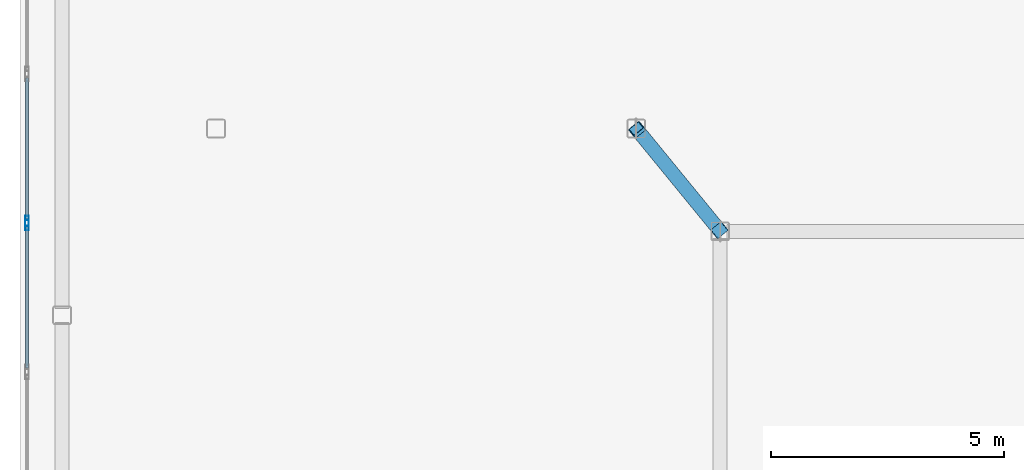
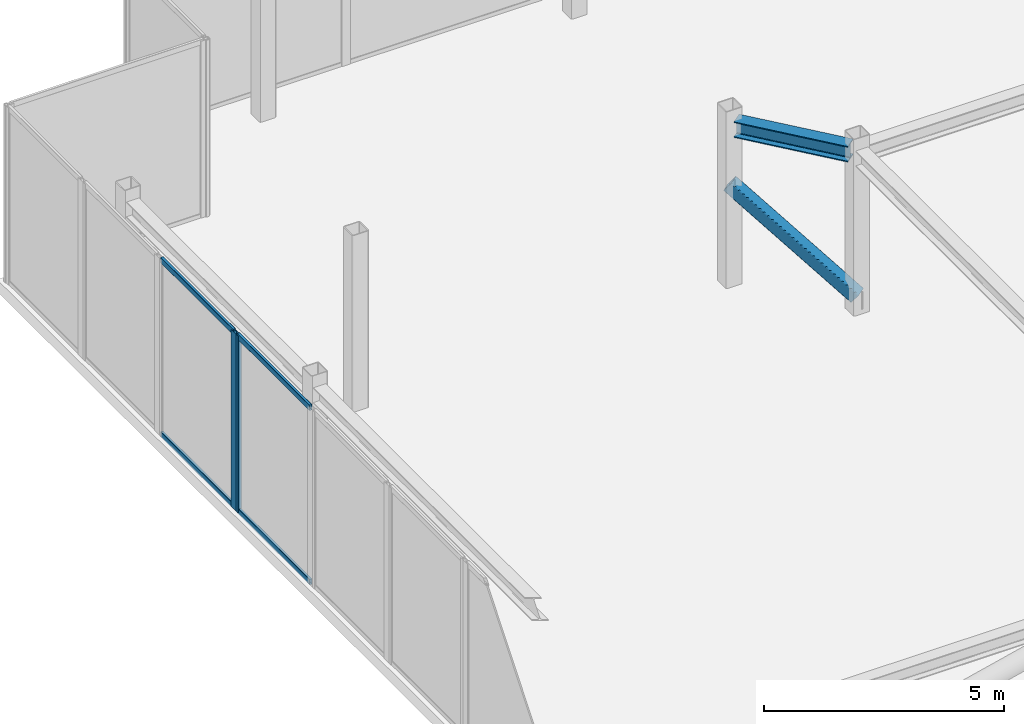
# One storey, part 6 of 14: 7 members, 1 beam, 2 elements without a shape of their own.
"""IFC4 building model written with IfcOpenShell, lengths in metres."""

import ifcopenshell
import ifcopenshell.guid

model = None  # the IFC model being written
_history = None  # IfcOwnerHistory: only IFC2X3 demands one
_inside = {}  # id of a spatial element -> (the spatial element, [elements in it])
_under = {}  # id of a project, library or spatial element -> (it, [spatial elements below it])
_declared = {}  # id of a project -> (the project, [libraries it declares])
_typed = {}  # id of a type object -> (the type object, [elements of that type])
_made_of = {}  # id of a material, layer set ... -> (it, [elements and type objects made of it])


def new_model(schema):
    """Start an empty IFC model of exactly this schema.

    Asked for "IFC4X3", IfcOpenShell would pick the latest addendum, in which some entities
    have other attributes; the version numbers below select the first issue.
    IFC2X3 requires an IfcOwnerHistory on every rooted entity: one is made here for all.
    """
    global model, _history
    if schema == "IFC4X3":
        model = ifcopenshell.file(schema_version=(4, 3, 0, 0))
    else:
        model = ifcopenshell.file(schema=schema)
    _inside.clear()
    _under.clear()
    _declared.clear()
    _typed.clear()
    _made_of.clear()
    _history = None
    if model.schema == "IFC2X3":
        org = make("IfcOrganization", Name="unknown")
        user = make(
            "IfcPersonAndOrganization",
            ThePerson=make("IfcPerson", FamilyName="unknown"),
            TheOrganization=org,
        )
        app = make(
            "IfcApplication",
            ApplicationDeveloper=org,
            Version="unknown",
            ApplicationFullName="unknown",
            ApplicationIdentifier="unknown",
        )
        _history = make(
            "IfcOwnerHistory",
            OwningUser=user,
            OwningApplication=app,
            ChangeAction="ADDED",
            CreationDate=0,
        )
    return model


def make(cls, **values):
    """One entity of the class cls with the attributes given. An attribute that is None is left unset."""
    return model.create_entity(
        cls, **{name: value for name, value in values.items() if value is not None}
    )


def rooted(cls, **values):
    """An entity with a GlobalId (a new one), such as an element, a storey or a relation."""
    return make(cls, GlobalId=ifcopenshell.guid.new(), OwnerHistory=_history, **values)


def si_unit(unit_type, name, prefix=None):
    """IfcSIUnit, for example si_unit("LENGTHUNIT", "METRE", prefix="MILLI")."""
    return make("IfcSIUnit", UnitType=unit_type, Prefix=prefix, Name=name)


def assignment(units):
    """IfcUnitAssignment: the units of a project."""
    return None if units is None else make("IfcUnitAssignment", Units=units)


def point(xyz):
    """IfcCartesianPoint."""
    return None if xyz is None else make("IfcCartesianPoint", Coordinates=xyz)


def direction(xyz):
    """IfcDirection."""
    return None if xyz is None else make("IfcDirection", DirectionRatios=xyz)


def frame(location, z_axis=None, x_axis=None):
    """IfcAxis2Placement3D, a coordinate frame: its origin and axes. An axis left out is left unset."""
    return make(
        "IfcAxis2Placement3D",
        Location=point(location),
        Axis=direction(z_axis),
        RefDirection=direction(x_axis),
    )


def frame_2d(location, x_axis=None):
    """IfcAxis2Placement2D, a coordinate frame in the plane: its origin and x axis."""
    return make(
        "IfcAxis2Placement2D", Location=point(location), RefDirection=direction(x_axis)
    )


def origin():
    """The frame at (0, 0, 0) with its axes left unset."""
    return frame((0.0, 0.0, 0.0))


def origin_2d():
    """The frame at (0, 0) in the plane with its x axis left unset."""
    return frame_2d((0.0, 0.0))


def place(relative_to, where):
    """IfcLocalPlacement: puts the frame where relative to a parent placement (None: the world)."""
    return make(
        "IfcLocalPlacement", PlacementRelTo=relative_to, RelativePlacement=where
    )


def context(
    kind, dimensions, precision=None, world=None, true_north=None, identifier=None
):
    """IfcGeometricRepresentationContext, for example the 3D "Model" context."""
    return make(
        "IfcGeometricRepresentationContext",
        ContextIdentifier=identifier,
        ContextType=kind,
        CoordinateSpaceDimension=dimensions,
        Precision=precision,
        WorldCoordinateSystem=world,
        TrueNorth=true_north,
    )


def subcontext(parent, identifier, kind, view, scale=None):
    """IfcGeometricRepresentationSubContext, for example "Body" below "Model"."""
    return make(
        "IfcGeometricRepresentationSubContext",
        ContextIdentifier=identifier,
        ContextType=kind,
        ParentContext=parent,
        TargetScale=scale,
        TargetView=view,
    )


def project(units=None, contexts=None):
    """IfcProject with its units and contexts."""
    return rooted(
        "IfcProject",
        Name="project",
        RepresentationContexts=contexts,
        UnitsInContext=assignment(units),
    )


def spatial(cls, under=None, at=None, **own):
    """A site, building, storey or space (cls), placed at a placement, below another one or the project."""
    s = rooted(cls, ObjectPlacement=at, **own)
    if under is not None:
        _under.setdefault(under.id(), (under, []))[1].append(s)
    return s


def profile(cls, at=None, kind="AREA", **sizes):
    """A parametric profile (cls). Its sizes go by their IFC names, for example OverallWidth=200.0."""
    return make(cls, ProfileType=kind, Position=at, **sizes)


def hollow_rectangle(**sizes):
    """IfcRectangleHollowProfileDef."""
    return profile("IfcRectangleHollowProfileDef", **sizes)


def i_section(**sizes):
    """IfcIShapeProfileDef."""
    return profile("IfcIShapeProfileDef", **sizes)


def extrude(swept, where, along, depth):
    """IfcExtrudedAreaSolid: the profile swept, set in the frame where, extruded along a direction by depth."""
    return make(
        "IfcExtrudedAreaSolid",
        SweptArea=swept,
        Position=where,
        ExtrudedDirection=direction(along),
        Depth=depth,
    )


def shape(context_of_items, identifier, shape_type, items):
    """IfcShapeRepresentation: the items that make up one representation, for example the "Body"."""
    return make(
        "IfcShapeRepresentation",
        ContextOfItems=context_of_items,
        RepresentationIdentifier=identifier,
        RepresentationType=shape_type,
        Items=items,
    )


def material(Name=None, Category=None):
    """IfcMaterial."""
    return make("IfcMaterial", Name=Name, Category=Category)


def layer(
    of_material, thickness, ventilated=None, Name=None, Category=None, Priority=None
):
    """IfcMaterialLayer: one layer of a wall or slab, of a material (None: an air gap)."""
    return make(
        "IfcMaterialLayer",
        Material=of_material,
        LayerThickness=thickness,
        IsVentilated=ventilated,
        Name=Name,
        Category=Category,
        Priority=Priority,
    )


def layer_set(layers, Name=None):
    """IfcMaterialLayerSet."""
    return make("IfcMaterialLayerSet", MaterialLayers=layers, LayerSetName=Name)


def material_profile(
    of_material, cross_section, Name=None, Category=None, Priority=None
):
    """IfcMaterialProfile: a cross section and its material."""
    return make(
        "IfcMaterialProfile",
        Name=Name,
        Material=of_material,
        Profile=cross_section,
        Priority=Priority,
        Category=Category,
    )


def profile_set(profiles, Name=None, composite=None):
    """IfcMaterialProfileSet."""
    return make(
        "IfcMaterialProfileSet",
        Name=Name,
        MaterialProfiles=profiles,
        CompositeProfile=composite,
    )


def made_of(thing, what):
    """Note that an element or type object is made of a material, layer set ...; save() writes the relation."""
    if what is not None:
        _made_of.setdefault(what.id(), (what, []))[1].append(thing)
    return thing


def type_object(cls, material=None, **own):
    """A type object (cls), such as IfcWallType, which elements share."""
    return made_of(rooted(cls, **own), material)


def element(
    cls,
    number,
    at=None,
    inside=None,
    cuts=None,
    type_object=None,
    material=None,
    context=None,
    identifier="Body",
    shape_type=None,
    held_by="IfcProductDefinitionShape",
    body=None,
    shapes=None,
    **own,
):
    """One element of the class cls, such as IfcWall. Its Tag is "e" and its number.

    at: its placement. inside: the storey or other place that contains it. cuts: it is an
    opening in that element (IfcRelVoidsElement). A single representation is given by context,
    identifier, shape_type and body (its items); several are given by shapes. held_by: the class
    of the entity that holds the representations. save() writes the other relations.
    """
    e = rooted(cls, Tag="e%d" % number, ObjectPlacement=at, **own)
    if body is not None:
        shapes = [shape(context, identifier, shape_type, body)]
    if shapes is not None:
        e.Representation = make(held_by, Representations=shapes)
    if inside is not None:
        _inside.setdefault(inside.id(), (inside, []))[1].append(e)
    if cuts is not None:
        rooted(
            "IfcRelVoidsElement", RelatingBuildingElement=cuts, RelatedOpeningElement=e
        )
    if type_object is not None:
        _typed.setdefault(type_object.id(), (type_object, []))[1].append(e)
    return made_of(e, material)


def aggregate(whole, parts):
    """IfcRelAggregates: a whole, such as a stair, and the parts it consists of."""
    return rooted("IfcRelAggregates", RelatingObject=whole, RelatedObjects=parts)


def save(model, path):
    """Write the relations noted so far, then the file.

    IfcRelAggregates (storeys below a building ...), IfcRelContainedInSpatialStructure (elements
    in a storey), IfcRelDefinesByType, IfcRelAssociatesMaterial and IfcRelDeclares: one each for
    every whole, place, type object, material and project.
    """
    for whole, parts in _under.values():
        aggregate(whole, parts)
    for where, things in _inside.values():
        rooted(
            "IfcRelContainedInSpatialStructure",
            RelatedElements=things,
            RelatingStructure=where,
        )
    for kind, things in _typed.values():
        rooted("IfcRelDefinesByType", RelatedObjects=things, RelatingType=kind)
    for what, things in _made_of.values():
        rooted("IfcRelAssociatesMaterial", RelatedObjects=things, RelatingMaterial=what)
    for by, libraries in _declared.values():
        rooted("IfcRelDeclares", RelatingContext=by, RelatedDefinitions=libraries)
    model.write(path)


model = new_model("IFC4")

# Units and contexts
model_context = context("Model", 3, precision=1e-05, world=origin(), true_north=direction((0.0, 1.0)))
body_context = subcontext(model_context, "Body", "Model", "MODEL_VIEW")
ifc_project = project(units=[si_unit("LENGTHUNIT", "METRE"), si_unit("AREAUNIT", "SQUARE_METRE"), si_unit("VOLUMEUNIT", "CUBIC_METRE"), si_unit("PLANEANGLEUNIT", "RADIAN"), si_unit("MASSUNIT", "GRAM", prefix="KILO")], contexts=[model_context])

# Site, building, storey
site_placement = place(None, origin())
site = spatial("IfcSite", under=ifc_project, at=site_placement, CompositionType="ELEMENT")
building_placement = place(site_placement, origin())
building = spatial("IfcBuilding", under=site, at=building_placement, Name="Tarnavaz Court Tower", CompositionType="ELEMENT")
storey_placement = place(building_placement, frame((0.0, 0.0, 286.050048828125)))
storey = spatial("IfcBuildingStorey", under=building, at=storey_placement, Name="C02", CompositionType="ELEMENT", Elevation=286.050048828125)

# Beam
ifc_material_1 = material(Name="Steel S355", Category="steel")
ifc_material_profile_1 = material_profile(ifc_material_1, i_section(OverallWidth=0.300048828125, OverallDepth=0.39990234375, WebThickness=0.013427734375, FlangeThickness=0.02392578125, FilletRadius=0.027099609375, at=origin_2d()), Name="HEB 400")
ifc_profile_set_1 = profile_set([ifc_material_profile_1], Name="Steel S355")
beam_type = type_object("IfcBeamType", Name="BM-G-HEB400", PredefinedType="USERDEFINED", material=ifc_profile_set_1)
beam_placement = place(storey_placement, frame((-9.5048828125, 9.8837890625, 4.0), z_axis=(0.633206414362, -0.773982969329, 0.0), x_axis=(0.773982969329, 0.633206414362, 0.0)))
element("IfcBeam", 1, at=beam_placement, inside=storey, type_object=beam_type, Name="C02 Beam CRG-CW-NI-IW-NW", ObjectType="GIRDER", PredefinedType="USERDEFINED", context=body_context, shape_type="SweptSolid", body=[
    extrude(i_section(OverallWidth=0.300048828125, OverallDepth=0.39990234375, WebThickness=0.013427734375, FlangeThickness=0.02392578125, FilletRadius=0.027099609375, at=origin_2d()), origin(), (0.0, 0.0, 1.0), 2.54248046875),
])

# Curtain wall, member
ifc_material_2 = material(Name="Anodised Aluminium 6063-T6 and Solar Low-E Glazing", Category="aluminium")
ifc_layer = layer(ifc_material_2, 0.2099609375)
ifc_layer_set = layer_set([ifc_layer], Name="Anodised Aluminium 6063-T6 and Solar Low-E Glazing")
curtain_wall_type = type_object("IfcCurtainWallType", Name="CW-SYS-06", PredefinedType="NOTDEFINED", material=ifc_layer_set)
curtain_wall_1_placement = place(storey_placement, origin())
curtain_wall_1 = element("IfcCurtainWall", 2, at=curtain_wall_1_placement, inside=storey, type_object=curtain_wall_type, Name="C02 Slanted Crown Terracotta Curtain Wall 11", PredefinedType="NOTDEFINED")
ifc_material_3 = material(Name="Anodised Aluminium 6063-T6", Category="aluminium")
ifc_material_profile_2 = material_profile(ifc_material_3, hollow_rectangle(XDim=0.0849609375, YDim=0.219970703125, WallThickness=0.006103515625, InnerFilletRadius=0.006103515625, OuterFilletRadius=0.011962890625, at=origin_2d()), Name="ALU RHS 220X85X6")
ifc_profile_set_2 = profile_set([ifc_material_profile_2], Name="Anodised Aluminium 6063-T6")
member_type_1 = type_object("IfcMemberType", Name="CW-MUL-220", PredefinedType="MULLION", material=ifc_profile_set_2)
member_1_placement = place(storey_placement, frame((-22.64990234375, 7.934814453125, 0.0), z_axis=(0.0, 0.0, 1.0), x_axis=(-1.0, 0.0, 0.0)))
member_1 = element("IfcMember", 3, at=member_1_placement, type_object=member_type_1, Name="CW mullion 2", PredefinedType="MULLION", context=body_context, shape_type="SweptSolid", body=[
    extrude(hollow_rectangle(XDim=0.0849609375, YDim=0.219970703125, WallThickness=0.006103515625, InnerFilletRadius=0.006103515625, OuterFilletRadius=0.011962890625, at=origin_2d()), origin(), (0.0, 0.0, 1.0), 4.5),
])

curtain_wall_2_placement = place(storey_placement, origin())
curtain_wall_2 = element("IfcCurtainWall", 4, at=curtain_wall_2_placement, inside=storey, type_object=curtain_wall_type, Name="C02 Slanted Crown Terracotta Curtain Wall 12", PredefinedType="NOTDEFINED")
member_2_placement = place(storey_placement, frame((-22.64990234375, 8.019775390625, 0.0), z_axis=(0.0, 0.0, 1.0), x_axis=(-1.0, 0.0, 0.0)))
member_2 = element("IfcMember", 5, at=member_2_placement, type_object=member_type_1, Name="CW mullion 1", PredefinedType="MULLION", context=body_context, shape_type="SweptSolid", body=[
    extrude(hollow_rectangle(XDim=0.0849609375, YDim=0.219970703125, WallThickness=0.006103515625, InnerFilletRadius=0.006103515625, OuterFilletRadius=0.011962890625, at=origin_2d()), origin(), (0.0, 0.0, 1.0), 4.5),
])

# Member
ifc_material_profile_3 = material_profile(ifc_material_3, hollow_rectangle(XDim=0.06494140625, YDim=0.139892578125, WallThickness=0.00390625, InnerFilletRadius=0.00390625, OuterFilletRadius=0.008056640625, at=origin_2d()), Name="ALU RHS 140X65X4")
ifc_profile_set_3 = profile_set([ifc_material_profile_3], Name="Anodised Aluminium 6063-T6")
member_type_2 = type_object("IfcMemberType", Name="CW-TRN-140", PredefinedType="USERDEFINED", material=ifc_profile_set_3)
member_3_placement = place(storey_placement, frame((-22.64990234375, 4.871337890625, 0.032470703125), z_axis=(0.0, 1.0, 0.0), x_axis=(-1.0, 0.0, 0.0)))
member_3 = element("IfcMember", 6, at=member_3_placement, type_object=member_type_2, Name="CW transom 1.1", ObjectType="TRANSOM", PredefinedType="USERDEFINED", context=body_context, shape_type="SweptSolid", body=[
    extrude(hollow_rectangle(XDim=0.06494140625, YDim=0.139892578125, WallThickness=0.00390625, InnerFilletRadius=0.00390625, OuterFilletRadius=0.008056640625, at=origin_2d()), origin(), (0.0, 0.0, 1.0), 3.02099609375),
])

member_4_placement = place(storey_placement, frame((-22.64990234375, 4.871337890625, 4.467529296875), z_axis=(0.0, 1.0, 0.0), x_axis=(-1.0, 0.0, 0.0)))
member_4 = element("IfcMember", 7, at=member_4_placement, type_object=member_type_2, Name="CW transom 1.2", ObjectType="TRANSOM", PredefinedType="USERDEFINED", context=body_context, shape_type="SweptSolid", body=[
    extrude(hollow_rectangle(XDim=0.06494140625, YDim=0.139892578125, WallThickness=0.00390625, InnerFilletRadius=0.00390625, OuterFilletRadius=0.008056640625, at=origin_2d()), origin(), (0.0, 0.0, 1.0), 3.02099609375),
])

aggregate(curtain_wall_1, [member_1, member_3, member_4])

member_5_placement = place(storey_placement, frame((-22.64990234375, 8.062255859375, 0.032470703125), z_axis=(0.0, 1.0, 0.0), x_axis=(-1.0, 0.0, 0.0)))
member_5 = element("IfcMember", 8, at=member_5_placement, type_object=member_type_2, Name="CW transom 1.1", ObjectType="TRANSOM", PredefinedType="USERDEFINED", context=body_context, shape_type="SweptSolid", body=[
    extrude(hollow_rectangle(XDim=0.06494140625, YDim=0.139892578125, WallThickness=0.00390625, InnerFilletRadius=0.00390625, OuterFilletRadius=0.008056640625, at=origin_2d()), origin(), (0.0, 0.0, 1.0), 3.02099609375),
])

member_6_placement = place(storey_placement, frame((-22.64990234375, 8.062255859375, 4.467529296875), z_axis=(0.0, 1.0, 0.0), x_axis=(-1.0, 0.0, 0.0)))
member_6 = element("IfcMember", 9, at=member_6_placement, type_object=member_type_2, Name="CW transom 1.2", ObjectType="TRANSOM", PredefinedType="USERDEFINED", context=body_context, shape_type="SweptSolid", body=[
    extrude(hollow_rectangle(XDim=0.06494140625, YDim=0.139892578125, WallThickness=0.00390625, InnerFilletRadius=0.00390625, OuterFilletRadius=0.008056640625, at=origin_2d()), origin(), (0.0, 0.0, 1.0), 3.02099609375),
])

aggregate(curtain_wall_2, [member_2, member_5, member_6])

ifc_material_profile_4 = material_profile(ifc_material_1, hollow_rectangle(XDim=0.300048828125, YDim=0.300048828125, WallThickness=0.01611328125, InnerFilletRadius=0.01611328125, OuterFilletRadius=0.031982421875, at=origin_2d()), Name="SHS 300X300X16")
ifc_profile_set_4 = profile_set([ifc_material_profile_4], Name="Steel S355")
member_type_3 = type_object("IfcMemberType", Name="MB-CR-SHS200", PredefinedType="USERDEFINED", material=ifc_profile_set_4)
member_7_placement = place(storey_placement, frame((-7.800048828125, 7.800048828125, 0.349853515625), z_axis=(-0.505044427904, 0.617246078916, 0.603272246922), x_axis=(-0.773941992102, -0.633256498476, 0.0)))
element("IfcMember", 10, at=member_7_placement, inside=storey, type_object=member_type_3, Name="C02 Crown Frame W Core Brace Strut", ObjectType="CROWN FRAME", PredefinedType="USERDEFINED", context=body_context, shape_type="SweptSolid", body=[
    extrude(hollow_rectangle(XDim=0.300048828125, YDim=0.300048828125, WallThickness=0.01611328125, InnerFilletRadius=0.01611328125, OuterFilletRadius=0.031982421875, at=origin_2d()), origin(), (0.0, 0.0, 1.0), 3.564208984375),
])

save(model, "model.ifc")
